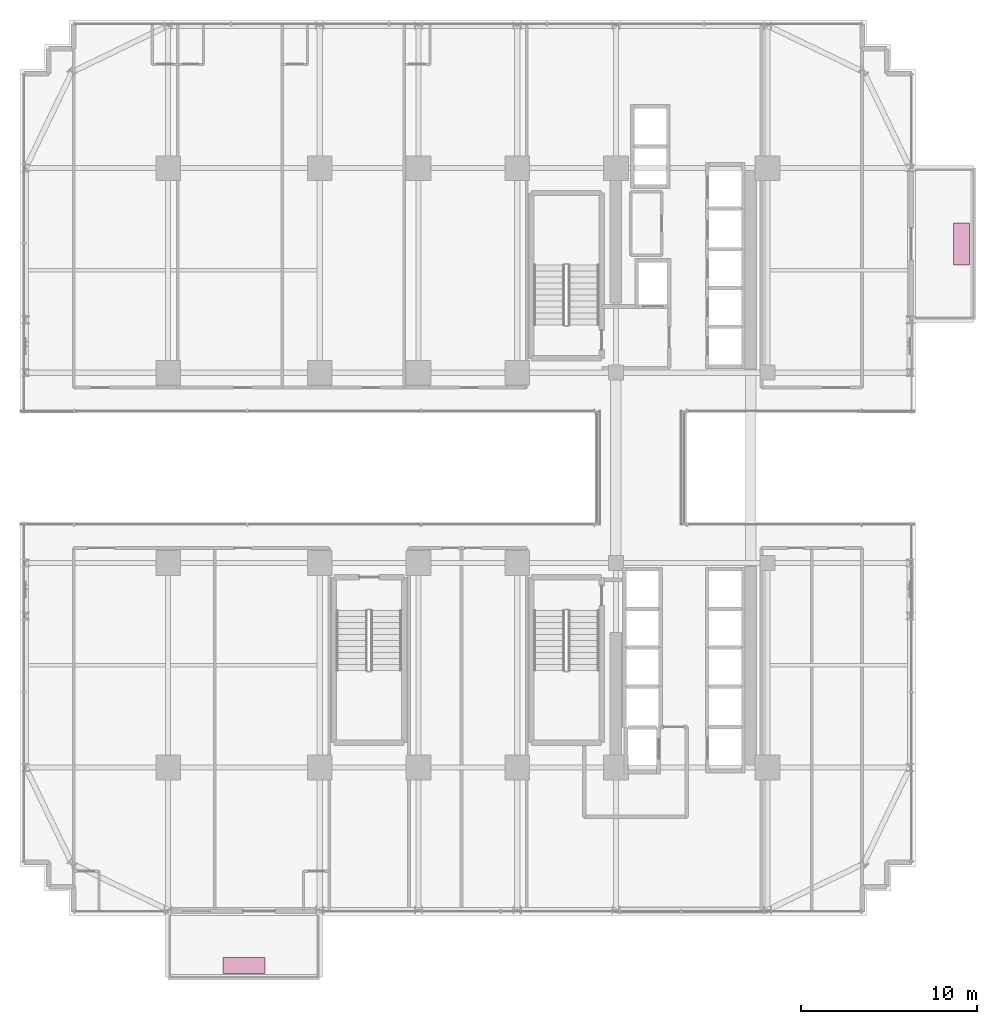
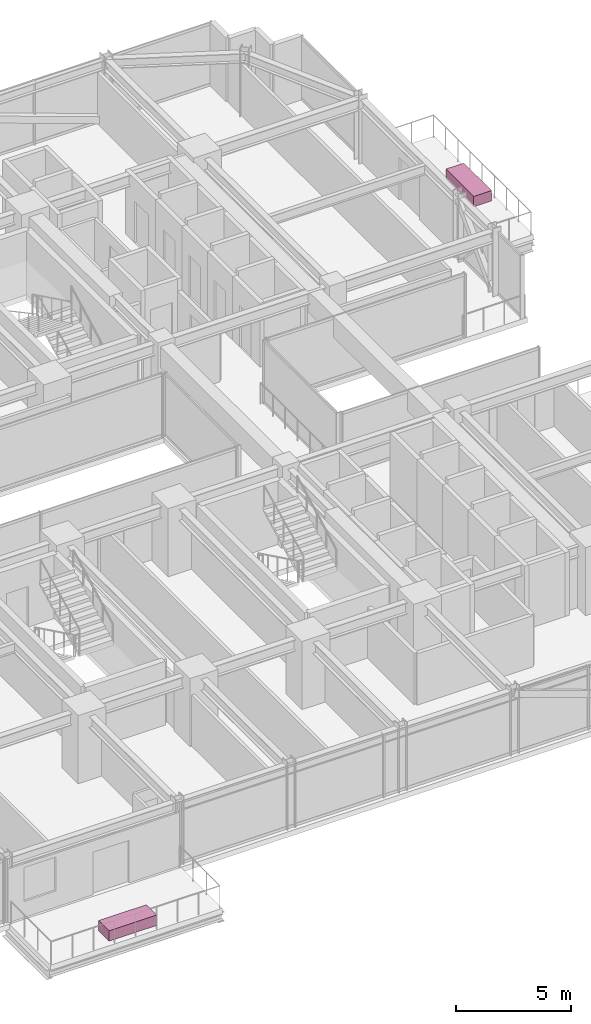
# One storey, part 43 of 43: 2 furnishings.
"""IFC4 building model written with IfcOpenShell, lengths in metres."""

from ifc_helpers import new_model, si_unit, direction, frame, origin, origin_2d, place, context, subcontext, project, spatial, rectangle, extrude, source, transform, mapped, material, type_object, element, save


model = new_model("IFC4")

# Units and contexts
model_context = context("Model", 3, precision=1e-05, world=origin(), true_north=direction((0.0, 1.0)))
body_context = subcontext(model_context, "Body", "Model", "MODEL_VIEW")
ifc_project = project(units=[si_unit("LENGTHUNIT", "METRE"), si_unit("AREAUNIT", "SQUARE_METRE"), si_unit("VOLUMEUNIT", "CUBIC_METRE"), si_unit("PLANEANGLEUNIT", "RADIAN"), si_unit("MASSUNIT", "GRAM", prefix="KILO")], contexts=[model_context])

# Site, building, storey
site_placement = place(None, origin())
site = spatial("IfcSite", under=ifc_project, at=site_placement, CompositionType="ELEMENT")
building_placement = place(site_placement, origin())
building = spatial("IfcBuilding", under=site, at=building_placement, Name="Nahalor Promenade Grand Hotel", CompositionType="ELEMENT")
storey_placement = place(building_placement, frame((0.0, 0.0, 57.949951171875)))
storey = spatial("IfcBuildingStorey", under=building, at=storey_placement, Name="L13", CompositionType="ELEMENT", Elevation=57.949951171875)

# Furnishings
ifc_material = material(Name="Vegetated Volcanic-Lapilli Tree Planter", Category="earth")
furnishing_element_type = type_object("IfcFurnishingElementType", Name="Planter-VerticalForest-Box", material=ifc_material)
shared_shape = source(origin(), body_context, "Body", "SweptSolid", [
    extrude(rectangle(XDim=2.39990234375, YDim=0.89990234375, at=origin_2d()), origin(), (0.0, 0.0, 1.0), 0.550048828125),
])
for number, where, z_axis, x_axis, name in (
    (1, (-12.699951171875, -28.22998046875, 0.0), (0.0, 0.0, 1.0), (1.0, 0.0, 0.0), "L13 Balcony Structural Tree Planter 1"),
    (2, (28.010009765625, 12.699951171875, 0.0), (0.0, 0.0, 1.0), (0.0, 1.0, 0.0), "L13 Balcony Structural Tree Planter 2"),
):
    element("IfcFurnishingElement", number, at=place(storey_placement, frame(where, z_axis=z_axis, x_axis=x_axis)), inside=storey, type_object=furnishing_element_type, Name=name, ObjectType="PLANTER", context=body_context, shape_type="MappedRepresentation", body=[
        mapped(shared_shape, transform((0.0, 0.0, 0.0), scale=1.0)),
    ])

save(model, "model.ifc")
